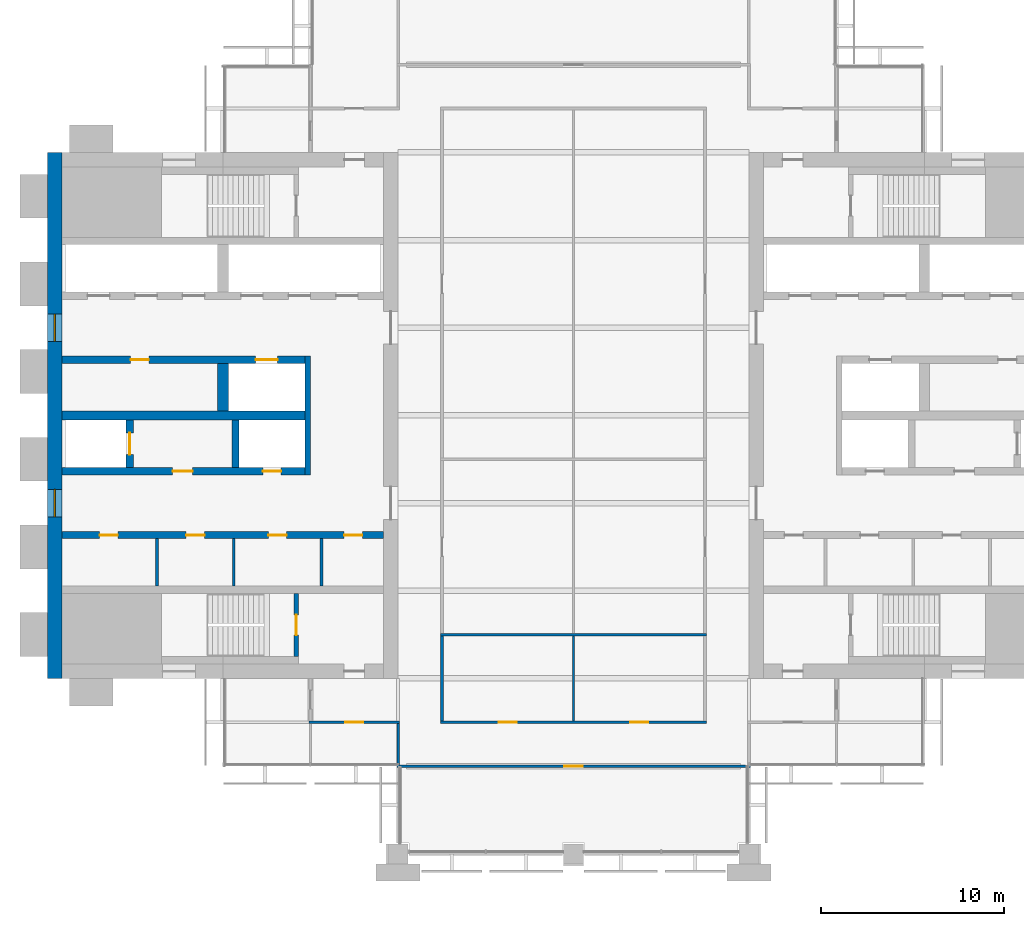
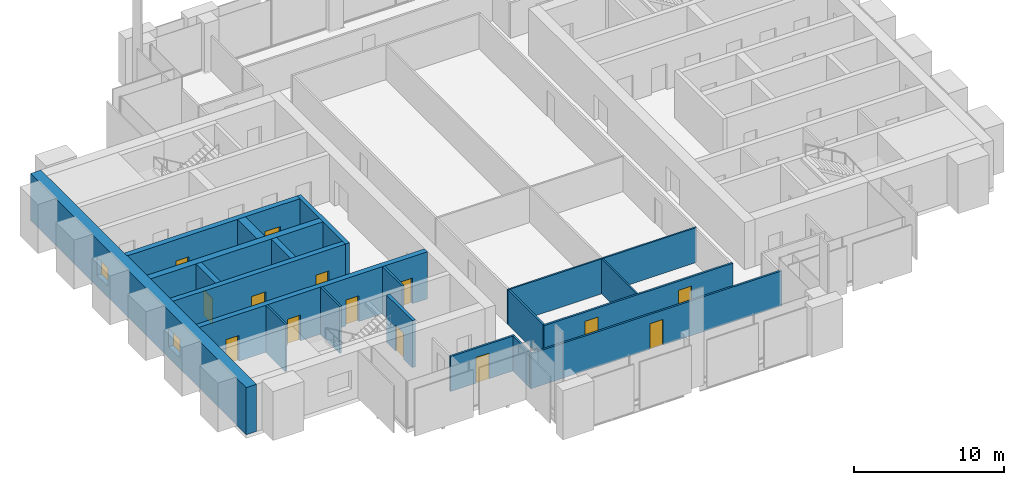
# One storey, part 8 of 13: 20 walls, 14 doors, 2 windows, 16 openings.
"""IFC4 building model written with IfcOpenShell, lengths in metres."""

from ifc_helpers import new_model, si_unit, direction, frame, frame_2d, origin, place, context, subcontext, project, spatial, rectangle, extrude, material, layer, layer_set, type_object, element, fill, save


model = new_model("IFC4")

# Units and contexts
model_context = context("Model", 3, precision=1e-05, world=origin(), true_north=direction((0.0, 1.0)))
body_context = subcontext(model_context, "Body", "Model", "MODEL_VIEW")
ifc_project = project(units=[si_unit("LENGTHUNIT", "METRE"), si_unit("AREAUNIT", "SQUARE_METRE"), si_unit("VOLUMEUNIT", "CUBIC_METRE"), si_unit("PLANEANGLEUNIT", "RADIAN"), si_unit("MASSUNIT", "GRAM", prefix="KILO")], contexts=[model_context])

# Site, building, storey
site_placement = place(None, origin())
site = spatial("IfcSite", under=ifc_project, at=site_placement, CompositionType="ELEMENT")
building_placement = place(site_placement, origin())
building = spatial("IfcBuilding", under=site, at=building_placement, Name="Baori Bourse Tower", CompositionType="ELEMENT")
storey_placement = place(building_placement, frame((0.0, 0.0, 193.199951171875)))
storey = spatial("IfcBuildingStorey", under=building, at=storey_placement, Name="L41", CompositionType="ELEMENT", Elevation=193.199951171875)

# Walls
ifc_material_1 = material(Name="Blockwork partition", Category="masonry")
ifc_layer_1 = layer(ifc_material_1, 0.14990234375)
ifc_layer_set_1 = layer_set([ifc_layer_1], Name="Core partition 150")
wall_type_1 = type_object("IfcWallType", Name="Core partition 150", PredefinedType="PARTITIONING", material=ifc_layer_set_1)
for number, where, z_axis, x_axis, name in (
    (1, (6.0, 14.64990234375, 0.0), (0.0, 0.0, 1.0), (0.0, 1.0, 0.0), "Partition wall W10"),
    (2, (10.199951171875, 14.64990234375, 0.0), (0.0, 0.0, 1.0), (0.0, 1.0, 0.0), "Partition wall W11"),
    (3, (15.0, 14.64990234375, 0.0), (0.0, 0.0, 1.0), (0.0, 1.0, 0.0), "Partition wall W12"),
):
    element("IfcWall", number, at=place(storey_placement, frame(where, z_axis=z_axis, x_axis=x_axis)), inside=storey, type_object=wall_type_1, Name=name, PredefinedType="PARTITIONING", context=body_context, shape_type="SweptSolid", body=[
        extrude(rectangle(XDim=2.60009765625, YDim=0.14990234375, at=frame_2d((1.300048828125, 0.0))), origin(), (0.0, 0.0, 1.0), 3.840087890625),
    ])

# Wall, openings, windows
ifc_material_2 = material(Name="Concrete f'c 50 MPa", Category="concrete")
ifc_layer_2 = layer(ifc_material_2, 0.800048828125)
ifc_layer_set_2 = layer_set([ifc_layer_2], Name="Core wall 800 f'c 50")
wall_type_2 = type_object("IfcWallType", Name="Core wall 800 f'c 50", PredefinedType="SHEAR", material=ifc_layer_set_2)
wall_1_placement = place(storey_placement, frame((0.39990234375, 9.60009765625, 0.0), z_axis=(0.0, 0.0, 1.0), x_axis=(0.0, 1.0, 0.0)))
wall_1 = element("IfcWall", 4, at=wall_1_placement, inside=storey, type_object=wall_type_2, Name="Core wall W01", PredefinedType="SHEAR", context=body_context, shape_type="SweptSolid", body=[
    extrude(rectangle(XDim=28.7998046875, YDim=0.800048828125, at=frame_2d((14.39990234375, 0.0))), origin(), (0.0, 0.0, 1.0), 3.840087890625),
])
opening_1_placement = place(wall_1_placement, frame((8.85009765625, 0.0, 0.89990234375)))
opening_1 = element("IfcOpeningElement", 5, at=opening_1_placement, cuts=wall_1, Name="Opening L41-KW101", PredefinedType="OPENING", context=body_context, shape_type="SweptSolid", body=[
    extrude(rectangle(XDim=1.5, YDim=1.5, at=frame_2d((0.75, 0.75))), frame((0.0, 0.409912109375, 0.0), z_axis=(0.0, -1.0, 0.0), x_axis=(1.0, 0.0, 0.0)), (0.0, 0.0, 1.0), 0.820068359375),
])
opening_2_placement = place(wall_1_placement, frame((18.449951171875, 0.0, 0.89990234375)))
opening_2 = element("IfcOpeningElement", 6, at=opening_2_placement, cuts=wall_1, Name="Opening L41-KW102", PredefinedType="OPENING", context=body_context, shape_type="SweptSolid", body=[
    extrude(rectangle(XDim=1.5, YDim=1.5, at=frame_2d((0.75, 0.75))), frame((0.0, 0.409912109375, 0.0), z_axis=(0.0, -1.0, 0.0), x_axis=(1.0, 0.0, 0.0)), (0.0, 0.0, 1.0), 0.820068359375),
])
ifc_material_3 = material(Name="Pale anodised aluminium", Category="aluminium")
window_type = type_object("IfcWindowType", Name="Lobby window 1500 x 1500", PartitioningType="SINGLE_PANEL", PredefinedType="WINDOW", material=ifc_material_3)
window_1_placement = place(opening_1_placement, origin())
window_1 = element("IfcWindow", 7, at=window_1_placement, inside=storey, type_object=window_type, Name="Outer wall window W L41 1", OverallHeight=1.5, OverallWidth=1.5, PartitioningType="SINGLE_PANEL", PredefinedType="WINDOW", context=body_context, shape_type="SweptSolid", body=[
    extrude(rectangle(XDim=1.5, YDim=1.5, at=frame_2d((0.75, 0.75))), frame((0.0, 0.030029296875, 0.0), z_axis=(0.0, -1.0, 0.0), x_axis=(1.0, 0.0, 0.0)), (0.0, 0.0, 1.0), 0.06005859375),
])
fill(opening_1, window_1)
window_2_placement = place(opening_2_placement, origin())
window_2 = element("IfcWindow", 8, at=window_2_placement, inside=storey, type_object=window_type, Name="Outer wall window W L41 2", OverallHeight=1.5, OverallWidth=1.5, PartitioningType="SINGLE_PANEL", PredefinedType="WINDOW", context=body_context, shape_type="SweptSolid", body=[
    extrude(rectangle(XDim=1.5, YDim=1.5, at=frame_2d((0.75, 0.75))), frame((0.0, 0.030029296875, 0.0), z_axis=(0.0, -1.0, 0.0), x_axis=(1.0, 0.0, 0.0)), (0.0, 0.0, 1.0), 0.06005859375),
])
fill(opening_2, window_2)

# Wall, opening, door
ifc_material_4 = material(Name="Gypsum board partition")
ifc_layer_3 = layer(ifc_material_4, 0.14990234375)
ifc_layer_set_3 = layer_set([ifc_layer_3], Name="Corridor partition 150")
wall_type_3 = type_object("IfcWallType", Name="Corridor partition 150", PredefinedType="PARTITIONING", material=ifc_layer_set_3)
wall_2_placement = place(storey_placement, frame((19.125, 4.800048828125, 0.0), z_axis=(0.0, 0.0, 1.0), x_axis=(1.0, 0.0, 0.0)))
wall_2 = element("IfcWall", 9, at=wall_2_placement, inside=storey, type_object=wall_type_3, Name="Partition", PredefinedType="PARTITIONING", context=body_context, shape_type="SweptSolid", body=[
    extrude(rectangle(XDim=19.35009765625, YDim=0.14990234375, at=frame_2d((9.675048828125, 0.0))), origin(), (0.0, 0.0, 1.0), 2.849365234375),
])
opening_3_placement = place(wall_2_placement, frame((9.175048828125, 0.0, 0.0)))
opening_3 = element("IfcOpeningElement", 10, at=opening_3_placement, cuts=wall_2, Name="Opening L41-D01", PredefinedType="OPENING", context=body_context, shape_type="SweptSolid", body=[
    extrude(rectangle(XDim=1.0, YDim=2.10009765625, at=frame_2d((0.5, 1.050048828125))), frame((0.0, 0.0849609375, 0.0), z_axis=(0.0, -1.0, 0.0), x_axis=(1.0, 0.0, 0.0)), (0.0, 0.0, 1.0), 0.169921875),
])
ifc_material_5 = material(Name="Timber door leaf", Category="wood")
door_type_1 = type_object("IfcDoorType", Name="Door 1000 x 2100", OperationType="SINGLE_SWING_LEFT", PredefinedType="DOOR", material=ifc_material_5)
door_1_placement = place(opening_3_placement, origin())
door_1 = element("IfcDoor", 11, at=door_1_placement, inside=storey, type_object=door_type_1, Name="Door", OperationType="SINGLE_SWING_LEFT", OverallHeight=2.10009765625, OverallWidth=1.0, PredefinedType="DOOR", context=body_context, shape_type="SweptSolid", body=[
    extrude(rectangle(XDim=1.0, YDim=2.10009765625, at=frame_2d((0.5, 1.050048828125))), frame((0.0, 0.02490234375, 0.0), z_axis=(0.0, -1.0, 0.0), x_axis=(1.0, 0.0, 0.0)), (0.0, 0.0, 1.0), 0.050048828125),
])
fill(opening_3, door_1)

wall_3_placement = place(storey_placement, frame((14.324951171875, 7.199951171875, 0.0), z_axis=(0.0, 0.0, 1.0), x_axis=(1.0, 0.0, 0.0)))
wall_3 = element("IfcWall", 12, at=wall_3_placement, inside=storey, type_object=wall_type_3, Name="Partition", PredefinedType="PARTITIONING", context=body_context, shape_type="SweptSolid", body=[
    extrude(rectangle(XDim=4.949951171875, YDim=0.14990234375, at=frame_2d((2.47509765625, 0.0))), origin(), (0.0, 0.0, 1.0), 2.849365234375),
])
opening_4_placement = place(wall_3_placement, frame((1.97509765625, 0.0, 0.0)))
opening_4 = element("IfcOpeningElement", 13, at=opening_4_placement, cuts=wall_3, Name="Opening L41-D02", PredefinedType="OPENING", context=body_context, shape_type="SweptSolid", body=[
    extrude(rectangle(XDim=1.0, YDim=2.10009765625, at=frame_2d((0.5, 1.050048828125))), frame((0.0, 0.0849609375, 0.0), z_axis=(0.0, -1.0, 0.0), x_axis=(1.0, 0.0, 0.0)), (0.0, 0.0, 1.0), 0.169921875),
])
door_2_placement = place(opening_4_placement, origin())
door_2 = element("IfcDoor", 14, at=door_2_placement, inside=storey, type_object=door_type_1, Name="Door", OperationType="SINGLE_SWING_RIGHT", OverallHeight=2.10009765625, OverallWidth=1.0, PredefinedType="DOOR", context=body_context, shape_type="SweptSolid", body=[
    extrude(rectangle(XDim=1.0, YDim=2.10009765625, at=frame_2d((0.5, 1.050048828125))), frame((0.0, 0.02490234375, 0.0), z_axis=(0.0, -1.0, 0.0), x_axis=(1.0, 0.0, 0.0)), (0.0, 0.0, 1.0), 0.050048828125),
])
fill(opening_4, door_2)

# Wall, openings, doors
wall_4_placement = place(storey_placement, frame((21.52490234375, 7.199951171875, 0.0), z_axis=(0.0, 0.0, 1.0), x_axis=(1.0, 0.0, 0.0)))
wall_4 = element("IfcWall", 15, at=wall_4_placement, inside=storey, type_object=wall_type_3, Name="Partition", PredefinedType="PARTITIONING", context=body_context, shape_type="SweptSolid", body=[
    extrude(rectangle(XDim=14.550048828125, YDim=0.14990234375, at=frame_2d((7.27490234375, 0.0))), origin(), (0.0, 0.0, 1.0), 2.849365234375),
])
opening_5_placement = place(wall_4_placement, frame((3.175048828125, 0.0, 0.0)))
opening_5 = element("IfcOpeningElement", 16, at=opening_5_placement, cuts=wall_4, Name="Opening L41-D03", PredefinedType="OPENING", context=body_context, shape_type="SweptSolid", body=[
    extrude(rectangle(XDim=1.0, YDim=2.10009765625, at=frame_2d((0.5, 1.050048828125))), frame((0.0, 0.0849609375, 0.0), z_axis=(0.0, -1.0, 0.0), x_axis=(1.0, 0.0, 0.0)), (0.0, 0.0, 1.0), 0.169921875),
])
opening_6_placement = place(wall_4_placement, frame((10.375, 0.0, 0.0)))
opening_6 = element("IfcOpeningElement", 17, at=opening_6_placement, cuts=wall_4, Name="Opening L41-D04", PredefinedType="OPENING", context=body_context, shape_type="SweptSolid", body=[
    extrude(rectangle(XDim=1.0, YDim=2.10009765625, at=frame_2d((0.5, 1.050048828125))), frame((0.0, 0.0849609375, 0.0), z_axis=(0.0, -1.0, 0.0), x_axis=(1.0, 0.0, 0.0)), (0.0, 0.0, 1.0), 0.169921875),
])
door_3_placement = place(opening_5_placement, origin())
door_3 = element("IfcDoor", 18, at=door_3_placement, inside=storey, type_object=door_type_1, Name="Door", OperationType="SINGLE_SWING_RIGHT", OverallHeight=2.10009765625, OverallWidth=1.0, PredefinedType="DOOR", context=body_context, shape_type="SweptSolid", body=[
    extrude(rectangle(XDim=1.0, YDim=2.10009765625, at=frame_2d((0.5, 1.050048828125))), frame((0.0, 0.02490234375, 0.0), z_axis=(0.0, -1.0, 0.0), x_axis=(1.0, 0.0, 0.0)), (0.0, 0.0, 1.0), 0.050048828125),
])
fill(opening_5, door_3)
door_4_placement = place(opening_6_placement, origin())
door_4 = element("IfcDoor", 19, at=door_4_placement, inside=storey, type_object=door_type_1, Name="Door", OperationType="SINGLE_SWING_LEFT", OverallHeight=2.10009765625, OverallWidth=1.0, PredefinedType="DOOR", context=body_context, shape_type="SweptSolid", body=[
    extrude(rectangle(XDim=1.0, YDim=2.10009765625, at=frame_2d((0.5, 1.050048828125))), frame((0.0, 0.02490234375, 0.0), z_axis=(0.0, -1.0, 0.0), x_axis=(1.0, 0.0, 0.0)), (0.0, 0.0, 1.0), 0.050048828125),
])
fill(opening_6, door_4)

# Walls
wall_5_placement = place(storey_placement, frame((19.199951171875, 4.875, 0.0), z_axis=(0.0, 0.0, 1.0), x_axis=(0.0, 1.0, 0.0)))
element("IfcWall", 20, at=wall_5_placement, inside=storey, type_object=wall_type_3, Name="Partition", PredefinedType="PARTITIONING", context=body_context, shape_type="SweptSolid", body=[
    extrude(rectangle(XDim=2.25, YDim=0.14990234375, at=frame_2d((1.125, 0.0))), origin(), (0.0, 0.0, 1.0), 2.849365234375),
])
wall_6_placement = place(storey_placement, frame((21.60009765625, 7.27490234375, 0.0), z_axis=(0.0, 0.0, 1.0), x_axis=(0.0, 1.0, 0.0)))
element("IfcWall", 21, at=wall_6_placement, inside=storey, type_object=wall_type_3, Name="Partition", PredefinedType="PARTITIONING", context=body_context, shape_type="SweptSolid", body=[
    extrude(rectangle(XDim=4.66259765625, YDim=0.14990234375, at=frame_2d((2.331298828125, 0.0))), origin(), (0.0, 0.0, 1.0), 2.849365234375),
])
ifc_material_6 = material(Name="Gypsum board partition")
ifc_layer_4 = layer(ifc_material_6, 0.125)
ifc_layer_set_4 = layer_set([ifc_layer_4], Name="Partition 125")
wall_type_4 = type_object("IfcWallType", Name="Partition 125", PredefinedType="PARTITIONING", material=ifc_layer_set_4)
wall_7_placement = place(storey_placement, frame((21.52490234375, 12.0, 0.0), z_axis=(0.0, 0.0, 1.0), x_axis=(1.0, 0.0, 0.0)))
element("IfcWall", 22, at=wall_7_placement, inside=storey, type_object=wall_type_4, Name="Partition", PredefinedType="PARTITIONING", context=body_context, shape_type="SweptSolid", body=[
    extrude(rectangle(XDim=14.550048828125, YDim=0.125, at=frame_2d((7.27490234375, 0.0))), origin(), (0.0, 0.0, 1.0), 2.849365234375),
])
wall_8_placement = place(storey_placement, frame((28.800048828125, 7.27490234375, 0.0), z_axis=(0.0, 0.0, 1.0), x_axis=(0.0, 1.0, 0.0)))
element("IfcWall", 23, at=wall_8_placement, inside=storey, type_object=wall_type_4, Name="Partition", PredefinedType="PARTITIONING", context=body_context, shape_type="SweptSolid", body=[
    extrude(rectangle(XDim=4.66259765625, YDim=0.125, at=frame_2d((2.331298828125, 0.0))), origin(), (0.0, 0.0, 1.0), 2.849365234375),
])

# Wall, opening, door
ifc_material_7 = material(Name="Concrete f'c 50 MPa", Category="concrete")
ifc_layer_5 = layer(ifc_material_7, 0.25)
ifc_layer_set_5 = layer_set([ifc_layer_5], Name="Shaft wall 250 f'c 50")
wall_type_5 = type_object("IfcWallType", Name="Shaft wall 250 f'c 50", PredefinedType="SHEAR", material=ifc_layer_set_5)
wall_9_placement = place(storey_placement, frame((13.625, 10.800048828125, 0.0), z_axis=(0.0, 0.0, 1.0), x_axis=(0.0, 1.0, 0.0)))
wall_9 = element("IfcWall", 24, at=wall_9_placement, inside=storey, type_object=wall_type_5, Name="Core wall W08", PredefinedType="SHEAR", context=body_context, shape_type="SweptSolid", body=[
    extrude(rectangle(XDim=3.449951171875, YDim=0.25, at=frame_2d((1.72509765625, 0.0))), origin(), (0.0, 0.0, 1.0), 3.840087890625),
])
opening_7_placement = place(wall_9_placement, frame((1.175048828125, 0.0, 0.0)))
opening_7 = element("IfcOpeningElement", 25, at=opening_7_placement, cuts=wall_9, Name="Opening L41-D101", PredefinedType="OPENING", context=body_context, shape_type="SweptSolid", body=[
    extrude(rectangle(XDim=1.10009765625, YDim=2.10009765625, at=frame_2d((0.550048828125, 1.050048828125))), frame((0.0, 0.135009765625, 0.0), z_axis=(0.0, -1.0, 0.0), x_axis=(1.0, 0.0, 0.0)), (0.0, 0.0, 1.0), 0.27001953125),
])
ifc_material_8 = material(Name="Painted steel door", Category="steel")
door_type_2 = type_object("IfcDoorType", Name="Stair door 1100", OperationType="SINGLE_SWING_LEFT", PredefinedType="DOOR", material=ifc_material_8)
door_5_placement = place(opening_7_placement, origin())
door_5 = element("IfcDoor", 26, at=door_5_placement, inside=storey, type_object=door_type_2, Name="Stair door A W L41", OperationType="SINGLE_SWING_LEFT", OverallHeight=2.10009765625, OverallWidth=1.10009765625, PredefinedType="DOOR", context=body_context, shape_type="SweptSolid", body=[
    extrude(rectangle(XDim=1.10009765625, YDim=2.10009765625, at=frame_2d((0.550048828125, 1.050048828125))), frame((0.0, 0.02490234375, 0.0), z_axis=(0.0, -1.0, 0.0), x_axis=(1.0, 0.0, 0.0)), (0.0, 0.0, 1.0), 0.050048828125),
])
fill(opening_7, door_5)

# Wall
ifc_material_9 = material(Name="Concrete f'c 50 MPa", Category="concrete")
ifc_layer_6 = layer(ifc_material_9, 0.300048828125)
ifc_layer_set_6 = layer_set([ifc_layer_6], Name="Shaft wall 300 f'c 50")
wall_type_6 = type_object("IfcWallType", Name="Shaft wall 300 f'c 50", PredefinedType="SHEAR", material=ifc_layer_set_6)
wall_10_placement = place(storey_placement, frame((14.25, 20.75, 0.0), z_axis=(0.0, 0.0, 1.0), x_axis=(0.0, 1.0, 0.0)))
element("IfcWall", 27, at=wall_10_placement, inside=storey, type_object=wall_type_6, Name="Core wall W15", PredefinedType="SHEAR", context=body_context, shape_type="SweptSolid", body=[
    extrude(rectangle(XDim=6.5, YDim=0.300048828125, at=frame_2d((3.25, 0.0))), origin(), (0.0, 0.0, 1.0), 3.840087890625),
])

# Wall, openings, doors
ifc_material_10 = material(Name="Concrete f'c 50 MPa", Category="concrete")
ifc_layer_7 = layer(ifc_material_10, 0.39990234375)
ifc_layer_set_7 = layer_set([ifc_layer_7], Name="Shaft wall 400 f'c 50")
wall_type_7 = type_object("IfcWallType", Name="Shaft wall 400 f'c 50", PredefinedType="SHEAR", material=ifc_layer_set_7)
wall_11_placement = place(storey_placement, frame((0.800048828125, 17.449951171875, 0.0), z_axis=(0.0, 0.0, 1.0), x_axis=(1.0, 0.0, 0.0)))
wall_11 = element("IfcWall", 28, at=wall_11_placement, inside=storey, type_object=wall_type_7, Name="Core wall W13", PredefinedType="SHEAR", context=body_context, shape_type="SweptSolid", body=[
    extrude(rectangle(XDim=17.599853515625, YDim=0.39990234375, at=frame_2d((8.7998046875, 0.0))), origin(), (0.0, 0.0, 1.0), 3.840087890625),
])
opening_8_placement = place(wall_11_placement, frame((2.0625, 0.0, 0.0)))
opening_8 = element("IfcOpeningElement", 29, at=opening_8_placement, cuts=wall_11, Name="Opening L41-D109", PredefinedType="OPENING", context=body_context, shape_type="SweptSolid", body=[
    extrude(rectangle(XDim=1.0, YDim=2.10009765625, at=frame_2d((0.5, 1.050048828125))), frame((0.0, 0.2099609375, 0.0), z_axis=(0.0, -1.0, 0.0), x_axis=(1.0, 0.0, 0.0)), (0.0, 0.0, 1.0), 0.419921875),
])
opening_9_placement = place(wall_11_placement, frame((6.800048828125, 0.0, 0.0)))
opening_9 = element("IfcOpeningElement", 30, at=opening_9_placement, cuts=wall_11, Name="Opening L41-D110", PredefinedType="OPENING", context=body_context, shape_type="SweptSolid", body=[
    extrude(rectangle(XDim=1.0, YDim=2.10009765625, at=frame_2d((0.5, 1.050048828125))), frame((0.0, 0.2099609375, 0.0), z_axis=(0.0, -1.0, 0.0), x_axis=(1.0, 0.0, 0.0)), (0.0, 0.0, 1.0), 0.419921875),
])
opening_10_placement = place(wall_11_placement, frame((11.300048828125, 0.0, 0.0)))
opening_10 = element("IfcOpeningElement", 31, at=opening_10_placement, cuts=wall_11, Name="Opening L41-D111", PredefinedType="OPENING", context=body_context, shape_type="SweptSolid", body=[
    extrude(rectangle(XDim=1.0, YDim=2.10009765625, at=frame_2d((0.5, 1.050048828125))), frame((0.0, 0.2099609375, 0.0), z_axis=(0.0, -1.0, 0.0), x_axis=(1.0, 0.0, 0.0)), (0.0, 0.0, 1.0), 0.419921875),
])
opening_11_placement = place(wall_11_placement, frame((15.4375, 0.0, 0.0)))
opening_11 = element("IfcOpeningElement", 32, at=opening_11_placement, cuts=wall_11, Name="Opening L41-D112", PredefinedType="OPENING", context=body_context, shape_type="SweptSolid", body=[
    extrude(rectangle(XDim=1.0, YDim=2.10009765625, at=frame_2d((0.5, 1.050048828125))), frame((0.0, 0.2099609375, 0.0), z_axis=(0.0, -1.0, 0.0), x_axis=(1.0, 0.0, 0.0)), (0.0, 0.0, 1.0), 0.419921875),
])
ifc_material_11 = material(Name="Painted steel door", Category="steel")
door_type_3 = type_object("IfcDoorType", Name="Core door 1000", OperationType="SINGLE_SWING_LEFT", PredefinedType="DOOR", material=ifc_material_11)
door_6_placement = place(opening_8_placement, origin())
door_6 = element("IfcDoor", 33, at=door_6_placement, inside=storey, type_object=door_type_3, Name="Men'S Wc door W L41", OperationType="SINGLE_SWING_LEFT", OverallHeight=2.10009765625, OverallWidth=1.0, PredefinedType="DOOR", context=body_context, shape_type="SweptSolid", body=[
    extrude(rectangle(XDim=1.0, YDim=2.10009765625, at=frame_2d((0.5, 1.050048828125))), frame((0.0, 0.02490234375, 0.0), z_axis=(0.0, -1.0, 0.0), x_axis=(1.0, 0.0, 0.0)), (0.0, 0.0, 1.0), 0.050048828125),
])
fill(opening_8, door_6)
door_7_placement = place(opening_9_placement, origin())
door_7 = element("IfcDoor", 34, at=door_7_placement, inside=storey, type_object=door_type_3, Name="Accessible Wc door W L41", OperationType="SINGLE_SWING_LEFT", OverallHeight=2.10009765625, OverallWidth=1.0, PredefinedType="DOOR", context=body_context, shape_type="SweptSolid", body=[
    extrude(rectangle(XDim=1.0, YDim=2.10009765625, at=frame_2d((0.5, 1.050048828125))), frame((0.0, 0.02490234375, 0.0), z_axis=(0.0, -1.0, 0.0), x_axis=(1.0, 0.0, 0.0)), (0.0, 0.0, 1.0), 0.050048828125),
])
fill(opening_9, door_7)
door_8_placement = place(opening_10_placement, origin())
door_8 = element("IfcDoor", 35, at=door_8_placement, inside=storey, type_object=door_type_3, Name="Women'S Wc door W L41", OperationType="SINGLE_SWING_LEFT", OverallHeight=2.10009765625, OverallWidth=1.0, PredefinedType="DOOR", context=body_context, shape_type="SweptSolid", body=[
    extrude(rectangle(XDim=1.0, YDim=2.10009765625, at=frame_2d((0.5, 1.050048828125))), frame((0.0, 0.02490234375, 0.0), z_axis=(0.0, -1.0, 0.0), x_axis=(1.0, 0.0, 0.0)), (0.0, 0.0, 1.0), 0.050048828125),
])
fill(opening_10, door_8)
ifc_material_12 = material(Name="Painted steel door", Category="steel")
door_type_4 = type_object("IfcDoorType", Name="Plant room door 1000", OperationType="SINGLE_SWING_LEFT", PredefinedType="DOOR", material=ifc_material_12)
door_9_placement = place(opening_11_placement, origin())
door_9 = element("IfcDoor", 36, at=door_9_placement, inside=storey, type_object=door_type_4, Name="Plumbing Equipment Room door W L41", OperationType="SINGLE_SWING_LEFT", OverallHeight=2.10009765625, OverallWidth=1.0, PredefinedType="DOOR", context=body_context, shape_type="SweptSolid", body=[
    extrude(rectangle(XDim=1.0, YDim=2.10009765625, at=frame_2d((0.5, 1.050048828125))), frame((0.0, 0.02490234375, 0.0), z_axis=(0.0, -1.0, 0.0), x_axis=(1.0, 0.0, 0.0)), (0.0, 0.0, 1.0), 0.050048828125),
])
fill(opening_11, door_9)

wall_12_placement = place(storey_placement, frame((0.800048828125, 20.949951171875, 0.0), z_axis=(0.0, 0.0, 1.0), x_axis=(1.0, 0.0, 0.0)))
wall_12 = element("IfcWall", 37, at=wall_12_placement, inside=storey, type_object=wall_type_7, Name="Core wall W14", PredefinedType="SHEAR", context=body_context, shape_type="SweptSolid", body=[
    extrude(rectangle(XDim=13.300048828125, YDim=0.39990234375, at=frame_2d((6.64990234375, 0.0))), origin(), (0.0, 0.0, 1.0), 3.840087890625),
])
opening_12_placement = place(wall_12_placement, frame((6.050048828125, 0.0, 0.0)))
opening_12 = element("IfcOpeningElement", 38, at=opening_12_placement, cuts=wall_12, Name="Opening L41-D105", PredefinedType="OPENING", context=body_context, shape_type="SweptSolid", body=[
    extrude(rectangle(XDim=1.10009765625, YDim=2.10009765625, at=frame_2d((0.550048828125, 1.050048828125))), frame((0.0, 0.2099609375, 0.0), z_axis=(0.0, -1.0, 0.0), x_axis=(1.0, 0.0, 0.0)), (0.0, 0.0, 1.0), 0.419921875),
])
opening_13_placement = place(wall_12_placement, frame((11.0, 0.0, 0.0)))
opening_13 = element("IfcOpeningElement", 39, at=opening_13_placement, cuts=wall_12, Name="Opening L41-D106", PredefinedType="OPENING", context=body_context, shape_type="SweptSolid", body=[
    extrude(rectangle(XDim=1.0, YDim=2.10009765625, at=frame_2d((0.5, 1.050048828125))), frame((0.0, 0.2099609375, 0.0), z_axis=(0.0, -1.0, 0.0), x_axis=(1.0, 0.0, 0.0)), (0.0, 0.0, 1.0), 0.419921875),
])
ifc_material_13 = material(Name="Painted steel door", Category="steel")
door_type_5 = type_object("IfcDoorType", Name="Lobby door 1100", OperationType="SINGLE_SWING_LEFT", PredefinedType="DOOR", material=ifc_material_13)
door_10_placement = place(opening_12_placement, origin())
door_10 = element("IfcDoor", 40, at=door_10_placement, inside=storey, type_object=door_type_5, Name="Firefighting lobby door W L41", OperationType="SINGLE_SWING_LEFT", OverallHeight=2.10009765625, OverallWidth=1.10009765625, PredefinedType="DOOR", context=body_context, shape_type="SweptSolid", body=[
    extrude(rectangle(XDim=1.10009765625, YDim=2.10009765625, at=frame_2d((0.550048828125, 1.050048828125))), frame((0.0, 0.02490234375, 0.0), z_axis=(0.0, -1.0, 0.0), x_axis=(1.0, 0.0, 0.0)), (0.0, 0.0, 1.0), 0.050048828125),
])
fill(opening_12, door_10)
ifc_material_14 = material(Name="Painted steel door", Category="steel")
door_type_6 = type_object("IfcDoorType", Name="Shaft door 1000", OperationType="SINGLE_SWING_LEFT", PredefinedType="DOOR", material=ifc_material_14)
door_11_placement = place(opening_13_placement, origin())
door_11 = element("IfcDoor", 41, at=door_11_placement, inside=storey, type_object=door_type_6, Name="Riser room door W L41", OperationType="SINGLE_SWING_LEFT", OverallHeight=2.10009765625, OverallWidth=1.0, PredefinedType="DOOR", context=body_context, shape_type="SweptSolid", body=[
    extrude(rectangle(XDim=1.0, YDim=2.10009765625, at=frame_2d((0.5, 1.050048828125))), frame((0.0, 0.02490234375, 0.0), z_axis=(0.0, -1.0, 0.0), x_axis=(1.0, 0.0, 0.0)), (0.0, 0.0, 1.0), 0.050048828125),
])
fill(opening_13, door_11)

# Wall, opening, door
wall_13_placement = place(storey_placement, frame((4.5, 21.14990234375, 0.0), z_axis=(0.0, 0.0, 1.0), x_axis=(0.0, 1.0, 0.0)))
wall_13 = element("IfcWall", 42, at=wall_13_placement, inside=storey, type_object=wall_type_7, Name="Core wall W16", PredefinedType="SHEAR", context=body_context, shape_type="SweptSolid", body=[
    extrude(rectangle(XDim=2.60009765625, YDim=0.39990234375, at=frame_2d((1.300048828125, 0.0))), origin(), (0.0, 0.0, 1.0), 3.840087890625),
])
opening_14_placement = place(wall_13_placement, frame((0.699951171875, 0.0, 0.0)))
opening_14 = element("IfcOpeningElement", 43, at=opening_14_placement, cuts=wall_13, Name="Opening L41-D121", PredefinedType="OPENING", context=body_context, shape_type="SweptSolid", body=[
    extrude(rectangle(XDim=1.199951171875, YDim=2.10009765625, at=frame_2d((0.60009765625, 1.050048828125))), frame((0.0, 0.2099609375, 0.0), z_axis=(0.0, -1.0, 0.0), x_axis=(1.0, 0.0, 0.0)), (0.0, 0.0, 1.0), 0.419921875),
])
ifc_material_15 = material(Name="Stainless steel door", Category="steel")
door_type_7 = type_object("IfcDoorType", Name="Lift landing door", OperationType="DOUBLE_DOOR_SLIDING", PredefinedType="DOOR", material=ifc_material_15)
door_12_placement = place(opening_14_placement, origin())
door_12 = element("IfcDoor", 44, at=door_12_placement, inside=storey, type_object=door_type_7, Name="Lift landing door FF1 W L41", OperationType="DOUBLE_DOOR_SLIDING", OverallHeight=2.10009765625, OverallWidth=1.199951171875, PredefinedType="DOOR", context=body_context, shape_type="SweptSolid", body=[
    extrude(rectangle(XDim=1.199951171875, YDim=2.10009765625, at=frame_2d((0.60009765625, 1.050048828125))), frame((0.0, 0.02490234375, 0.0), z_axis=(0.0, -1.0, 0.0), x_axis=(1.0, 0.0, 0.0)), (0.0, 0.0, 1.0), 0.050048828125),
])
fill(opening_14, door_12)

# Wall
wall_14_placement = place(storey_placement, frame((10.300048828125, 21.14990234375, 0.0), z_axis=(0.0, 0.0, 1.0), x_axis=(0.0, 1.0, 0.0)))
element("IfcWall", 45, at=wall_14_placement, inside=storey, type_object=wall_type_7, Name="Core wall W17", PredefinedType="SHEAR", context=body_context, shape_type="SweptSolid", body=[
    extrude(rectangle(XDim=2.60009765625, YDim=0.39990234375, at=frame_2d((1.300048828125, 0.0))), origin(), (0.0, 0.0, 1.0), 3.840087890625),
])

# Wall, openings, doors
wall_15_placement = place(storey_placement, frame((0.800048828125, 27.050048828125, 0.0), z_axis=(0.0, 0.0, 1.0), x_axis=(1.0, 0.0, 0.0)))
wall_15 = element("IfcWall", 46, at=wall_15_placement, inside=storey, type_object=wall_type_7, Name="Core wall W20", PredefinedType="SHEAR", context=body_context, shape_type="SweptSolid", body=[
    extrude(rectangle(XDim=13.300048828125, YDim=0.39990234375, at=frame_2d((6.64990234375, 0.0))), origin(), (0.0, 0.0, 1.0), 3.840087890625),
])
opening_15_placement = place(wall_15_placement, frame((3.75, 0.0, 0.0)))
opening_15 = element("IfcOpeningElement", 47, at=opening_15_placement, cuts=wall_15, Name="Opening L41-D113", PredefinedType="OPENING", context=body_context, shape_type="SweptSolid", body=[
    extrude(rectangle(XDim=1.0, YDim=2.10009765625, at=frame_2d((0.5, 1.050048828125))), frame((0.0, 0.2099609375, 0.0), z_axis=(0.0, -1.0, 0.0), x_axis=(1.0, 0.0, 0.0)), (0.0, 0.0, 1.0), 0.419921875),
])
opening_16_placement = place(wall_15_placement, frame((10.60009765625, 0.0, 0.0)))
opening_16 = element("IfcOpeningElement", 48, at=opening_16_placement, cuts=wall_15, Name="Opening L41-D120", PredefinedType="OPENING", context=body_context, shape_type="SweptSolid", body=[
    extrude(rectangle(XDim=1.199951171875, YDim=2.10009765625, at=frame_2d((0.60009765625, 1.050048828125))), frame((0.0, 0.2099609375, 0.0), z_axis=(0.0, -1.0, 0.0), x_axis=(1.0, 0.0, 0.0)), (0.0, 0.0, 1.0), 0.419921875),
])
door_13_placement = place(opening_15_placement, origin())
door_13 = element("IfcDoor", 49, at=door_13_placement, inside=storey, type_object=door_type_3, Name="Store Room door W L41", OperationType="SINGLE_SWING_LEFT", OverallHeight=2.10009765625, OverallWidth=1.0, PredefinedType="DOOR", context=body_context, shape_type="SweptSolid", body=[
    extrude(rectangle(XDim=1.0, YDim=2.10009765625, at=frame_2d((0.5, 1.050048828125))), frame((0.0, 0.02490234375, 0.0), z_axis=(0.0, -1.0, 0.0), x_axis=(1.0, 0.0, 0.0)), (0.0, 0.0, 1.0), 0.050048828125),
])
fill(opening_15, door_13)
door_14_placement = place(opening_16_placement, origin())
door_14 = element("IfcDoor", 50, at=door_14_placement, inside=storey, type_object=door_type_7, Name="Lift landing door SV1 W L41", OperationType="DOUBLE_DOOR_SLIDING", OverallHeight=2.10009765625, OverallWidth=1.199951171875, PredefinedType="DOOR", context=body_context, shape_type="SweptSolid", body=[
    extrude(rectangle(XDim=1.199951171875, YDim=2.10009765625, at=frame_2d((0.60009765625, 1.050048828125))), frame((0.0, 0.02490234375, 0.0), z_axis=(0.0, -1.0, 0.0), x_axis=(1.0, 0.0, 0.0)), (0.0, 0.0, 1.0), 0.050048828125),
])
fill(opening_16, door_14)

# Walls
ifc_material_16 = material(Name="Concrete f'c 50 MPa", Category="concrete")
ifc_layer_8 = layer(ifc_material_16, 0.5)
ifc_layer_set_8 = layer_set([ifc_layer_8], Name="Shaft wall 500 f'c 50")
wall_type_8 = type_object("IfcWallType", Name="Shaft wall 500 f'c 50", PredefinedType="SHEAR", material=ifc_layer_set_8)
wall_16_placement = place(storey_placement, frame((0.800048828125, 24.0, 0.0), z_axis=(0.0, 0.0, 1.0), x_axis=(1.0, 0.0, 0.0)))
element("IfcWall", 51, at=wall_16_placement, inside=storey, type_object=wall_type_8, Name="Core wall W18", PredefinedType="SHEAR", context=body_context, shape_type="SweptSolid", body=[
    extrude(rectangle(XDim=13.300048828125, YDim=0.5, at=frame_2d((6.64990234375, 0.0))), origin(), (0.0, 0.0, 1.0), 3.840087890625),
])
ifc_material_17 = material(Name="Concrete f'c 50 MPa", Category="concrete")
ifc_layer_9 = layer(ifc_material_17, 0.60009765625)
ifc_layer_set_9 = layer_set([ifc_layer_9], Name="Shaft wall 600 f'c 50")
wall_type_9 = type_object("IfcWallType", Name="Shaft wall 600 f'c 50", PredefinedType="SHEAR", material=ifc_layer_set_9)
wall_17_placement = place(storey_placement, frame((9.60009765625, 24.25, 0.0), z_axis=(0.0, 0.0, 1.0), x_axis=(0.0, 1.0, 0.0)))
element("IfcWall", 52, at=wall_17_placement, inside=storey, type_object=wall_type_9, Name="Core wall W19", PredefinedType="SHEAR", context=body_context, shape_type="SweptSolid", body=[
    extrude(rectangle(XDim=2.60009765625, YDim=0.60009765625, at=frame_2d((1.300048828125, 0.0))), origin(), (0.0, 0.0, 1.0), 3.840087890625),
])

save(model, "model.ifc")
